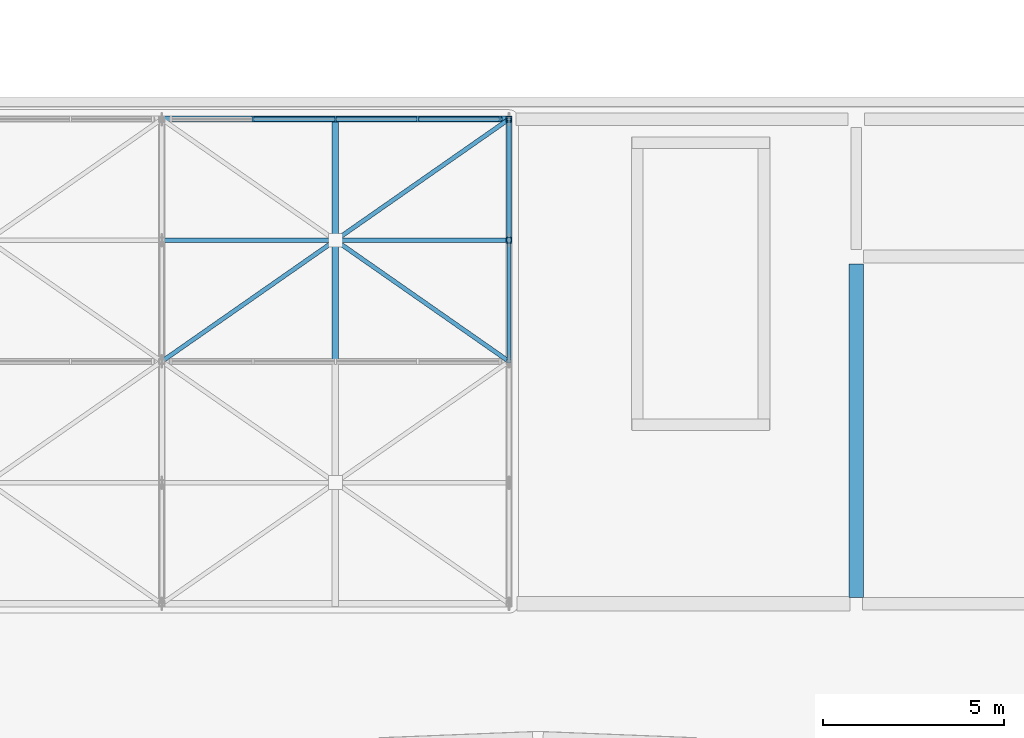
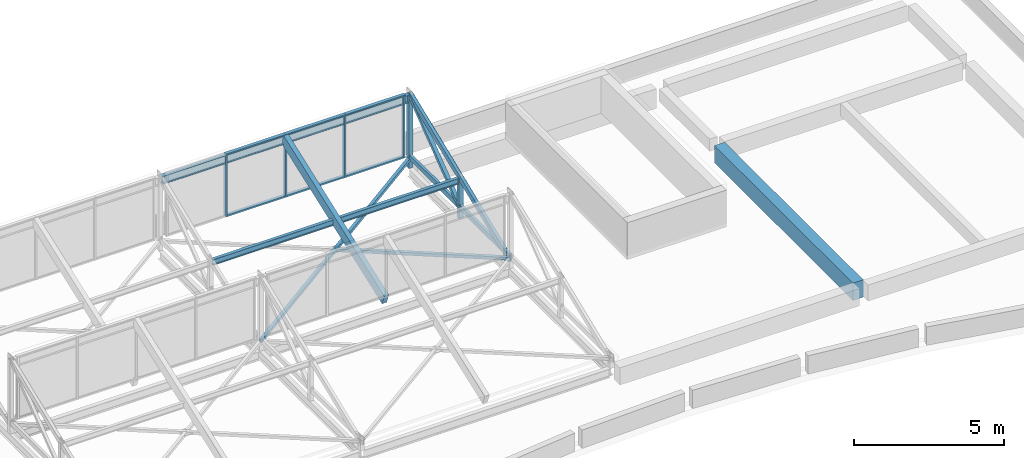
# One storey, part 16 of 40: 18 members, 3 beams, 1 element without a shape of its own.
"""IFC4 building model written with IfcOpenShell, lengths in metres."""

from ifc_helpers import new_model, si_unit, direction, frame, origin, origin_2d, place, context, subcontext, project, spatial, rectangle, hollow_rectangle, i_section, extrude, material, material_profile, profile_set, type_object, element, aggregate, save


model = new_model("IFC4")

# Units and contexts
model_context = context("Model", 3, precision=1e-05, world=origin(), true_north=direction((0.0, 1.0)))
body_context = subcontext(model_context, "Body", "Model", "MODEL_VIEW")
ifc_project = project(units=[si_unit("LENGTHUNIT", "METRE"), si_unit("AREAUNIT", "SQUARE_METRE"), si_unit("VOLUMEUNIT", "CUBIC_METRE"), si_unit("PLANEANGLEUNIT", "RADIAN"), si_unit("MASSUNIT", "GRAM", prefix="KILO")], contexts=[model_context])

# Site, building, storey
site_placement = place(None, origin())
site = spatial("IfcSite", under=ifc_project, at=site_placement, CompositionType="ELEMENT")
building_placement = place(site_placement, origin())
building = spatial("IfcBuilding", under=site, at=building_placement, Name="Mzevani Central Library", CompositionType="ELEMENT")
storey_placement = place(building_placement, frame((0.0, 0.0, 26.699951171875)))
storey = spatial("IfcBuildingStorey", under=building, at=storey_placement, Name="RF", CompositionType="ELEMENT", Elevation=26.699951171875)

# Member
ifc_material_1 = material(Name="Glulam GL28h", Category="wood")
ifc_material_profile_1 = material_profile(ifc_material_1, rectangle(XDim=0.179931640625, YDim=0.419921875, at=origin_2d()), Name="GL28h 180x420")
ifc_profile_set_1 = profile_set([ifc_material_profile_1], Name="Glulam GL28h")
member_type_1 = type_object("IfcMemberType", Name="Atrium Skylight Rafter GL28h 180x420", PredefinedType="RAFTER", material=ifc_profile_set_1)
member_1_placement = place(storey_placement, frame((78.39990234375, 106.699951171875, -4.099853515625), z_axis=(0.0, 0.938271881965, 0.345898649194), x_axis=(-1.0, 0.0, 0.0)))
element("IfcMember", 1, at=member_1_placement, inside=storey, type_object=member_type_1, Name="RF Sawtooth Skylight Rafter 2.73", PredefinedType="RAFTER", context=body_context, shape_type="SweptSolid", body=[
    extrude(rectangle(XDim=0.179931640625, YDim=0.419921875, at=origin_2d()), origin(), (0.0, 0.0, 1.0), 7.140625),
])

# Beam
ifc_material_2 = material(Name="Concrete C35/45", Category="concrete")
ifc_material_profile_2 = material_profile(ifc_material_2, rectangle(XDim=0.39990234375, YDim=0.699951171875, at=origin_2d()), Name="RC B400x700")
ifc_profile_set_2 = profile_set([ifc_material_profile_2], Name="Concrete C35/45")
beam_type_1 = type_object("IfcBeamType", Name="Beam RC 400x700", PredefinedType="BEAM", material=ifc_profile_set_2)
beam_1_placement = place(storey_placement, frame((92.800048828125, 100.175048828125, -4.81005859375), z_axis=(0.0, 1.0, 0.0), x_axis=(-1.0, 0.0, 0.0)))
element("IfcBeam", 2, at=beam_1_placement, inside=storey, type_object=beam_type_1, Name="RF V3 Frame Beam B-08 (779)", PredefinedType="BEAM", context=body_context, shape_type="SweptSolid", body=[
    extrude(rectangle(XDim=0.39990234375, YDim=0.699951171875, at=origin_2d()), origin(), (0.0, 0.0, 1.0), 9.224853515625),
])

# Curtain wall, members
ifc_material_3 = material(Name="Thermally broken aluminium and Low-E triple glazing", Category="aluminium")
curtain_wall_type = type_object("IfcCurtainWallType", Name="Sawtooth Clerestory Curtain Wall", PredefinedType="NOTDEFINED", material=ifc_material_3)
curtain_wall_placement = place(storey_placement, origin())
curtain_wall = element("IfcCurtainWall", 3, at=curtain_wall_placement, inside=storey, type_object=curtain_wall_type, Name="RF Sawtooth Northlight Clerestory 2.2", PredefinedType="NOTDEFINED")
ifc_material_4 = material(Name="Thermally broken aluminium AW-6060", Category="aluminium")
ifc_material_profile_3 = material_profile(ifc_material_4, rectangle(XDim=0.06005859375, YDim=0.159912109375, at=origin_2d()), Name="ALU M60x160")
ifc_profile_set_3 = profile_set([ifc_material_profile_3], Name="Thermally broken aluminium AW-6060")
member_type_2 = type_object("IfcMemberType", Name="CW Mullion 60x160", PredefinedType="MULLION", material=ifc_profile_set_3)
member_2_placement = place(storey_placement, frame((76.125, 113.39990234375, -3.949951171875), z_axis=(0.0, 0.0, 1.0), x_axis=(1.0, 0.0, 0.0)))
member_2 = element("IfcMember", 4, at=member_2_placement, type_object=member_type_2, Name="RF Sawtooth Northlight Clerestory 2.2 Mullion 2", PredefinedType="MULLION", context=body_context, shape_type="SweptSolid", body=[
    extrude(rectangle(XDim=0.06005859375, YDim=0.159912109375, at=origin_2d()), origin(), (0.0, 0.0, 1.0), 2.5),
])
member_3_placement = place(storey_placement, frame((78.39990234375, 113.39990234375, -3.949951171875), z_axis=(0.0, 0.0, 1.0), x_axis=(1.0, 0.0, 0.0)))
member_3 = element("IfcMember", 5, at=member_3_placement, type_object=member_type_2, Name="RF Sawtooth Northlight Clerestory 2.2 Mullion 3", PredefinedType="MULLION", context=body_context, shape_type="SweptSolid", body=[
    extrude(rectangle(XDim=0.06005859375, YDim=0.159912109375, at=origin_2d()), origin(), (0.0, 0.0, 1.0), 2.5),
])
member_4_placement = place(storey_placement, frame((80.675048828125, 113.39990234375, -3.949951171875), z_axis=(0.0, 0.0, 1.0), x_axis=(1.0, 0.0, 0.0)))
member_4 = element("IfcMember", 6, at=member_4_placement, type_object=member_type_2, Name="RF Sawtooth Northlight Clerestory 2.2 Mullion 4", PredefinedType="MULLION", context=body_context, shape_type="SweptSolid", body=[
    extrude(rectangle(XDim=0.06005859375, YDim=0.159912109375, at=origin_2d()), origin(), (0.0, 0.0, 1.0), 2.5),
])
member_5_placement = place(storey_placement, frame((82.949951171875, 113.39990234375, -3.949951171875), z_axis=(0.0, 0.0, 1.0), x_axis=(1.0, 0.0, 0.0)))
member_5 = element("IfcMember", 7, at=member_5_placement, type_object=member_type_2, Name="RF Sawtooth Northlight Clerestory 2.2 Mullion 5", PredefinedType="MULLION", context=body_context, shape_type="SweptSolid", body=[
    extrude(rectangle(XDim=0.06005859375, YDim=0.159912109375, at=origin_2d()), origin(), (0.0, 0.0, 1.0), 2.5),
])
ifc_material_profile_4 = material_profile(ifc_material_4, rectangle(XDim=0.1298828125, YDim=0.06005859375, at=origin_2d()), Name="ALU T60x130")
ifc_profile_set_4 = profile_set([ifc_material_profile_4], Name="Thermally broken aluminium AW-6060")
member_type_3 = type_object("IfcMemberType", Name="CW Transom 60x130", PredefinedType="USERDEFINED", material=ifc_profile_set_4)
member_6_placement = place(storey_placement, frame((76.10009765625, 113.39990234375, -3.949951171875), z_axis=(1.0, 0.0, 0.0), x_axis=(0.0, 1.0, 0.0)))
member_6 = element("IfcMember", 8, at=member_6_placement, type_object=member_type_3, Name="RF Sawtooth Northlight Clerestory 2.2 Transom 3", ObjectType="TRANSOM", PredefinedType="USERDEFINED", context=body_context, shape_type="SweptSolid", body=[
    extrude(rectangle(XDim=0.1298828125, YDim=0.06005859375, at=origin_2d()), origin(), (0.0, 0.0, 1.0), 2.2998046875),
])
member_7_placement = place(storey_placement, frame((76.10009765625, 113.39990234375, -1.449951171875), z_axis=(1.0, 0.0, 0.0), x_axis=(0.0, 1.0, 0.0)))
member_7 = element("IfcMember", 9, at=member_7_placement, type_object=member_type_3, Name="RF Sawtooth Northlight Clerestory 2.2 Transom 4", ObjectType="TRANSOM", PredefinedType="USERDEFINED", context=body_context, shape_type="SweptSolid", body=[
    extrude(rectangle(XDim=0.1298828125, YDim=0.06005859375, at=origin_2d()), origin(), (0.0, 0.0, 1.0), 2.2998046875),
])
member_8_placement = place(storey_placement, frame((78.39990234375, 113.39990234375, -3.949951171875), z_axis=(1.0, 0.0, 0.0), x_axis=(0.0, 1.0, 0.0)))
member_8 = element("IfcMember", 10, at=member_8_placement, type_object=member_type_3, Name="RF Sawtooth Northlight Clerestory 2.2 Transom 5", ObjectType="TRANSOM", PredefinedType="USERDEFINED", context=body_context, shape_type="SweptSolid", body=[
    extrude(rectangle(XDim=0.1298828125, YDim=0.06005859375, at=origin_2d()), origin(), (0.0, 0.0, 1.0), 2.300048828125),
])
member_9_placement = place(storey_placement, frame((78.39990234375, 113.39990234375, -1.449951171875), z_axis=(1.0, 0.0, 0.0), x_axis=(0.0, 1.0, 0.0)))
member_9 = element("IfcMember", 11, at=member_9_placement, type_object=member_type_3, Name="RF Sawtooth Northlight Clerestory 2.2 Transom 6", ObjectType="TRANSOM", PredefinedType="USERDEFINED", context=body_context, shape_type="SweptSolid", body=[
    extrude(rectangle(XDim=0.1298828125, YDim=0.06005859375, at=origin_2d()), origin(), (0.0, 0.0, 1.0), 2.300048828125),
])
member_10_placement = place(storey_placement, frame((80.699951171875, 113.39990234375, -3.949951171875), z_axis=(1.0, 0.0, 0.0), x_axis=(0.0, 1.0, 0.0)))
member_10 = element("IfcMember", 12, at=member_10_placement, type_object=member_type_3, Name="RF Sawtooth Northlight Clerestory 2.2 Transom 7", ObjectType="TRANSOM", PredefinedType="USERDEFINED", context=body_context, shape_type="SweptSolid", body=[
    extrude(rectangle(XDim=0.1298828125, YDim=0.06005859375, at=origin_2d()), origin(), (0.0, 0.0, 1.0), 2.300048828125),
])
member_11_placement = place(storey_placement, frame((80.699951171875, 113.39990234375, -1.449951171875), z_axis=(1.0, 0.0, 0.0), x_axis=(0.0, 1.0, 0.0)))
member_11 = element("IfcMember", 13, at=member_11_placement, type_object=member_type_3, Name="RF Sawtooth Northlight Clerestory 2.2 Transom 8", ObjectType="TRANSOM", PredefinedType="USERDEFINED", context=body_context, shape_type="SweptSolid", body=[
    extrude(rectangle(XDim=0.1298828125, YDim=0.06005859375, at=origin_2d()), origin(), (0.0, 0.0, 1.0), 2.300048828125),
])
aggregate(curtain_wall, [member_2, member_3, member_4, member_5, member_6, member_7, member_8, member_9, member_10, member_11])

# Members
ifc_material_5 = material(Name="Steel S355J2", Category="steel")
ifc_material_profile_5 = material_profile(ifc_material_5, hollow_rectangle(XDim=0.1201171875, YDim=0.1201171875, WallThickness=0.008056640625, at=origin_2d()), Name="SHS 120x120x8.0")
ifc_profile_set_5 = profile_set([ifc_material_profile_5], Name="Steel S355J2")
member_type_4 = type_object("IfcMemberType", Name="Roof Plan Brace SHS 120x120", PredefinedType="BRACE", material=ifc_profile_set_5)
member_12_placement = place(storey_placement, frame((73.60009765625, 106.699951171875, -4.099853515625), z_axis=(0.820031582841, 0.572318270845, 0.0), x_axis=(-0.572318270845, 0.820031582841, 0.0)))
element("IfcMember", 14, at=member_12_placement, inside=storey, type_object=member_type_4, Name="RF Sawtooth Plan X-Brace Continuous 2.73", PredefinedType="BRACE", context=body_context, shape_type="SweptSolid", body=[
    extrude(hollow_rectangle(XDim=0.1201171875, YDim=0.1201171875, WallThickness=0.008056640625, at=origin_2d()), origin(), (0.0, 0.0, 1.0), 11.706787109375),
])
member_13_placement = place(storey_placement, frame((83.199951171875, 106.699951171875, -4.099853515625), z_axis=(-0.820028626313, 0.572322507007, 0.0), x_axis=(-0.572322507007, -0.820028626313, 0.0)))
element("IfcMember", 15, at=member_13_placement, inside=storey, type_object=member_type_4, Name="RF Sawtooth Plan X-Brace Split 1 2.73", PredefinedType="BRACE", context=body_context, shape_type="SweptSolid", body=[
    extrude(hollow_rectangle(XDim=0.1201171875, YDim=0.1201171875, WallThickness=0.008056640625, at=origin_2d()), origin(), (0.0, 0.0, 1.0), 5.853515625),
])
ifc_material_profile_6 = material_profile(ifc_material_5, hollow_rectangle(XDim=0.139892578125, YDim=0.139892578125, WallThickness=0.008056640625, at=origin_2d()), Name="SHS 140x140x8.0")
ifc_profile_set_6 = profile_set([ifc_material_profile_6], Name="Steel S355J2")
member_type_5 = type_object("IfcMemberType", Name="Roof Plan Brace SHS 140x140", PredefinedType="BRACE", material=ifc_profile_set_6)
member_14_placement = place(storey_placement, frame((83.199951171875, 110.050048828125, -4.02001953125), z_axis=(0.0, 0.795685909111, 0.605709446882), x_axis=(-1.0, 0.0, 0.0)))
element("IfcMember", 16, at=member_14_placement, inside=storey, type_object=member_type_5, Name="RF Sawtooth Web Diagonal 2.3", PredefinedType="BRACE", context=body_context, shape_type="SweptSolid", body=[
    extrude(hollow_rectangle(XDim=0.139892578125, YDim=0.139892578125, WallThickness=0.008056640625, at=origin_2d()), origin(), (0.0, 0.0, 1.0), 4.2099609375),
])

# Beams
ifc_material_profile_7 = material_profile(ifc_material_5, i_section(OverallWidth=0.1201171875, OverallDepth=0.239990234375, WebThickness=0.006103515625, FlangeThickness=0.009765625, FilletRadius=0.014892578125, at=origin_2d()), Name="IPE 240")
ifc_profile_set_7 = profile_set([ifc_material_profile_7], Name="Steel S355J2")
beam_type_2 = type_object("IfcBeamType", Name="Roof Purlin Steel IPE 240", PredefinedType="JOIST", material=ifc_profile_set_7)
beam_2_placement = place(storey_placement, frame((73.669921875, 110.050048828125, -2.949951171875), z_axis=(1.0, 0.0, 0.0), x_axis=(0.0, 1.0, 0.0)))
element("IfcBeam", 17, at=beam_2_placement, inside=storey, type_object=beam_type_2, Name="RF Sawtooth Mid Purlin 2.73", PredefinedType="JOIST", context=body_context, shape_type="SweptSolid", body=[
    extrude(i_section(OverallWidth=0.1201171875, OverallDepth=0.239990234375, WebThickness=0.006103515625, FlangeThickness=0.009765625, FilletRadius=0.014892578125, at=origin_2d()), origin(), (0.0, 0.0, 1.0), 9.4599609375),
])
ifc_material_profile_8 = material_profile(ifc_material_5, i_section(OverallWidth=0.159912109375, OverallDepth=0.330078125, WebThickness=0.007568359375, FlangeThickness=0.011474609375, FilletRadius=0.01806640625, at=origin_2d()), Name="IPE 330")
ifc_profile_set_8 = profile_set([ifc_material_profile_8], Name="Steel S355J2")
beam_type_3 = type_object("IfcBeamType", Name="Sawtooth Rafter Beam IPE 330", PredefinedType="BEAM", material=ifc_profile_set_8)
beam_3_placement = place(storey_placement, frame((73.669921875, 113.39990234375, -1.6298828125), z_axis=(1.0, 0.0, 0.0), x_axis=(0.0, 1.0, 0.0)))
element("IfcBeam", 18, at=beam_3_placement, inside=storey, type_object=beam_type_3, Name="RF Sawtooth Ridge Beam 2.73", PredefinedType="BEAM", context=body_context, shape_type="SweptSolid", body=[
    extrude(i_section(OverallWidth=0.159912109375, OverallDepth=0.330078125, WebThickness=0.007568359375, FlangeThickness=0.011474609375, FilletRadius=0.01806640625, at=origin_2d()), origin(), (0.0, 0.0, 1.0), 9.4599609375),
])

# Members
ifc_material_profile_9 = material_profile(ifc_material_5, hollow_rectangle(XDim=0.10009765625, YDim=0.199951171875, WallThickness=0.010009765625, at=origin_2d()), Name="RHS 200x100x10.0")
ifc_profile_set_9 = profile_set([ifc_material_profile_9], Name="Steel S355J2")
member_type_6 = type_object("IfcMemberType", Name="Sawtooth Truss Chord RHS 200x100", PredefinedType="CHORD", material=ifc_profile_set_9)
member_15_placement = place(storey_placement, frame((83.199951171875, 106.699951171875, -4.02001953125), z_axis=(0.0, 1.0, 0.0), x_axis=(-1.0, 0.0, 0.0)))
element("IfcMember", 19, at=member_15_placement, inside=storey, type_object=member_type_6, Name="RF Sawtooth Bottom Chord 2.3", PredefinedType="CHORD", context=body_context, shape_type="SweptSolid", body=[
    extrude(hollow_rectangle(XDim=0.10009765625, YDim=0.199951171875, WallThickness=0.010009765625, at=origin_2d()), origin(), (0.0, 0.0, 1.0), 6.699951171875),
])
ifc_material_profile_10 = material_profile(ifc_material_5, hollow_rectangle(XDim=0.1201171875, YDim=0.219970703125, WallThickness=0.010009765625, at=origin_2d()), Name="RHS 220x120x10.0")
ifc_profile_set_10 = profile_set([ifc_material_profile_10], Name="Steel S355J2")
member_type_7 = type_object("IfcMemberType", Name="Sawtooth Truss Chord RHS 220x120", PredefinedType="CHORD", material=ifc_profile_set_10)
member_16_placement = place(storey_placement, frame((83.199951171875, 106.699951171875, -4.169921875), z_axis=(0.0, 0.927520293405, 0.373772799066), x_axis=(-1.0, 0.0, 0.0)))
element("IfcMember", 20, at=member_16_placement, inside=storey, type_object=member_type_7, Name="RF Sawtooth Top Rafter 2.3", PredefinedType="CHORD", context=body_context, shape_type="SweptSolid", body=[
    extrude(hollow_rectangle(XDim=0.1201171875, YDim=0.219970703125, WallThickness=0.010009765625, at=origin_2d()), origin(), (0.0, 0.0, 1.0), 7.223388671875),
])
ifc_material_profile_11 = material_profile(ifc_material_5, hollow_rectangle(XDim=0.159912109375, YDim=0.159912109375, WallThickness=0.010009765625, at=origin_2d()), Name="SHS 160x160x10.0")
ifc_profile_set_11 = profile_set([ifc_material_profile_11], Name="Steel S355J2")
member_type_8 = type_object("IfcMemberType", Name="Truss Vertical Post SHS 160x160", PredefinedType="POST", material=ifc_profile_set_11)
member_17_placement = place(storey_placement, frame((83.199951171875, 113.39990234375, -4.4599609375), z_axis=(0.0, 0.0, 1.0), x_axis=(1.0, 0.0, 0.0)))
element("IfcMember", 21, at=member_17_placement, inside=storey, type_object=member_type_8, Name="RF Sawtooth Ridge Post 2.3", PredefinedType="POST", context=body_context, shape_type="SweptSolid", body=[
    extrude(hollow_rectangle(XDim=0.159912109375, YDim=0.159912109375, WallThickness=0.010009765625, at=origin_2d()), origin(), (0.0, 0.0, 1.0), 2.989990234375),
])
member_18_placement = place(storey_placement, frame((83.199951171875, 110.050048828125, -4.4599609375), z_axis=(0.0, 0.0, 1.0), x_axis=(1.0, 0.0, 0.0)))
element("IfcMember", 22, at=member_18_placement, inside=storey, type_object=member_type_8, Name="RF Sawtooth Mid Post 2.3", PredefinedType="POST", context=body_context, shape_type="SweptSolid", body=[
    extrude(hollow_rectangle(XDim=0.159912109375, YDim=0.159912109375, WallThickness=0.010009765625, at=origin_2d()), origin(), (0.0, 0.0, 1.0), 1.639892578125),
])

save(model, "model.ifc")
